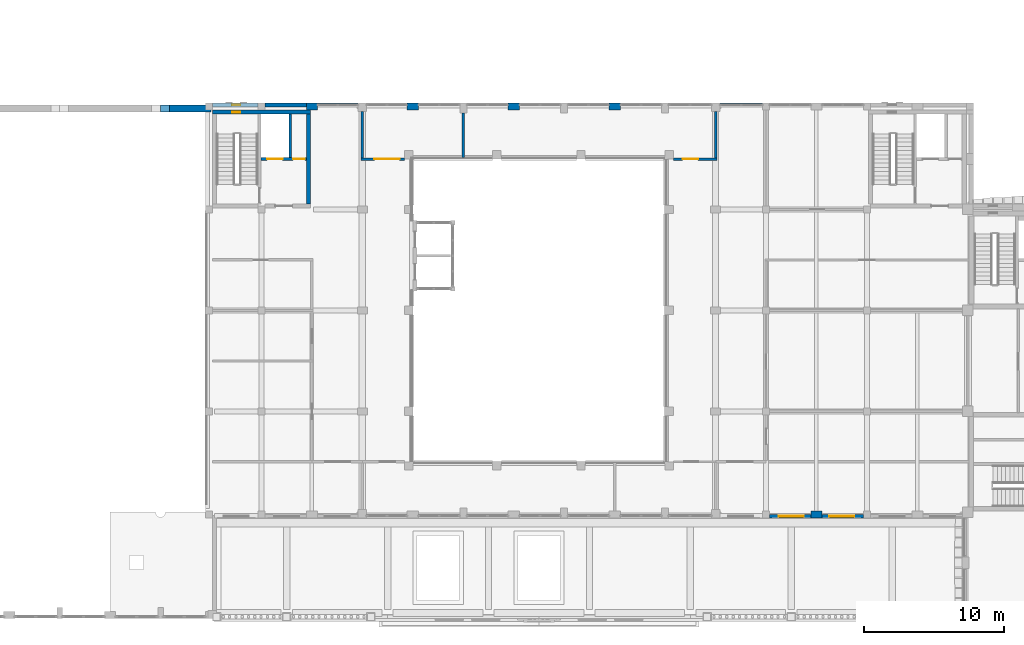
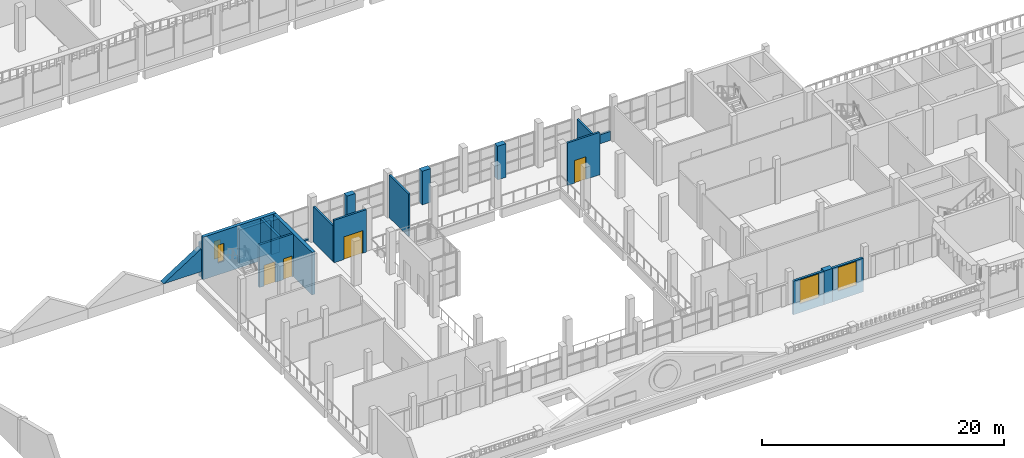
# One storey, part 21 of 58: 21 walls, 4 doors, 4 windows, 8 openings.
"""IFC4 building model written with IfcOpenShell, lengths in metres."""

import ifcopenshell
import ifcopenshell.guid

model = None  # the IFC model being written
_history = None  # IfcOwnerHistory: only IFC2X3 demands one
_inside = {}  # id of a spatial element -> (the spatial element, [elements in it])
_under = {}  # id of a project, library or spatial element -> (it, [spatial elements below it])
_declared = {}  # id of a project -> (the project, [libraries it declares])
_typed = {}  # id of a type object -> (the type object, [elements of that type])
_made_of = {}  # id of a material, layer set ... -> (it, [elements and type objects made of it])


def new_model(schema):
    """Start an empty IFC model of exactly this schema.

    Asked for "IFC4X3", IfcOpenShell would pick the latest addendum, in which some entities
    have other attributes; the version numbers below select the first issue.
    IFC2X3 requires an IfcOwnerHistory on every rooted entity: one is made here for all.
    """
    global model, _history
    if schema == "IFC4X3":
        model = ifcopenshell.file(schema_version=(4, 3, 0, 0))
    else:
        model = ifcopenshell.file(schema=schema)
    _inside.clear()
    _under.clear()
    _declared.clear()
    _typed.clear()
    _made_of.clear()
    _history = None
    if model.schema == "IFC2X3":
        org = make("IfcOrganization", Name="unknown")
        user = make(
            "IfcPersonAndOrganization",
            ThePerson=make("IfcPerson", FamilyName="unknown"),
            TheOrganization=org,
        )
        app = make(
            "IfcApplication",
            ApplicationDeveloper=org,
            Version="unknown",
            ApplicationFullName="unknown",
            ApplicationIdentifier="unknown",
        )
        _history = make(
            "IfcOwnerHistory",
            OwningUser=user,
            OwningApplication=app,
            ChangeAction="ADDED",
            CreationDate=0,
        )
    return model


def make(cls, **values):
    """One entity of the class cls with the attributes given. An attribute that is None is left unset."""
    return model.create_entity(
        cls, **{name: value for name, value in values.items() if value is not None}
    )


def rooted(cls, **values):
    """An entity with a GlobalId (a new one), such as an element, a storey or a relation."""
    return make(cls, GlobalId=ifcopenshell.guid.new(), OwnerHistory=_history, **values)


def si_unit(unit_type, name, prefix=None):
    """IfcSIUnit, for example si_unit("LENGTHUNIT", "METRE", prefix="MILLI")."""
    return make("IfcSIUnit", UnitType=unit_type, Prefix=prefix, Name=name)


def assignment(units):
    """IfcUnitAssignment: the units of a project."""
    return None if units is None else make("IfcUnitAssignment", Units=units)


def point(xyz):
    """IfcCartesianPoint."""
    return None if xyz is None else make("IfcCartesianPoint", Coordinates=xyz)


def direction(xyz):
    """IfcDirection."""
    return None if xyz is None else make("IfcDirection", DirectionRatios=xyz)


def frame(location, z_axis=None, x_axis=None):
    """IfcAxis2Placement3D, a coordinate frame: its origin and axes. An axis left out is left unset."""
    return make(
        "IfcAxis2Placement3D",
        Location=point(location),
        Axis=direction(z_axis),
        RefDirection=direction(x_axis),
    )


def frame_2d(location, x_axis=None):
    """IfcAxis2Placement2D, a coordinate frame in the plane: its origin and x axis."""
    return make(
        "IfcAxis2Placement2D", Location=point(location), RefDirection=direction(x_axis)
    )


def origin():
    """The frame at (0, 0, 0) with its axes left unset."""
    return frame((0.0, 0.0, 0.0))


def place(relative_to, where):
    """IfcLocalPlacement: puts the frame where relative to a parent placement (None: the world)."""
    return make(
        "IfcLocalPlacement", PlacementRelTo=relative_to, RelativePlacement=where
    )


def context(
    kind, dimensions, precision=None, world=None, true_north=None, identifier=None
):
    """IfcGeometricRepresentationContext, for example the 3D "Model" context."""
    return make(
        "IfcGeometricRepresentationContext",
        ContextIdentifier=identifier,
        ContextType=kind,
        CoordinateSpaceDimension=dimensions,
        Precision=precision,
        WorldCoordinateSystem=world,
        TrueNorth=true_north,
    )


def subcontext(parent, identifier, kind, view, scale=None):
    """IfcGeometricRepresentationSubContext, for example "Body" below "Model"."""
    return make(
        "IfcGeometricRepresentationSubContext",
        ContextIdentifier=identifier,
        ContextType=kind,
        ParentContext=parent,
        TargetScale=scale,
        TargetView=view,
    )


def project(units=None, contexts=None):
    """IfcProject with its units and contexts."""
    return rooted(
        "IfcProject",
        Name="project",
        RepresentationContexts=contexts,
        UnitsInContext=assignment(units),
    )


def spatial(cls, under=None, at=None, **own):
    """A site, building, storey or space (cls), placed at a placement, below another one or the project."""
    s = rooted(cls, ObjectPlacement=at, **own)
    if under is not None:
        _under.setdefault(under.id(), (under, []))[1].append(s)
    return s


def polyline(points):
    """IfcPolyline through the points."""
    return make("IfcPolyline", Points=[point(p) for p in points])


def profile(cls, at=None, kind="AREA", **sizes):
    """A parametric profile (cls). Its sizes go by their IFC names, for example OverallWidth=200.0."""
    return make(cls, ProfileType=kind, Position=at, **sizes)


def rectangle(**sizes):
    """IfcRectangleProfileDef."""
    return profile("IfcRectangleProfileDef", **sizes)


def outline(outer, holes=None, kind="AREA"):
    """IfcArbitraryClosedProfileDef: a profile drawn as a closed curve; with holes, ...WithVoids."""
    if holes is None:
        return make("IfcArbitraryClosedProfileDef", ProfileType=kind, OuterCurve=outer)
    return make(
        "IfcArbitraryProfileDefWithVoids",
        ProfileType=kind,
        OuterCurve=outer,
        InnerCurves=holes,
    )


def extrude(swept, where, along, depth):
    """IfcExtrudedAreaSolid: the profile swept, set in the frame where, extruded along a direction by depth."""
    return make(
        "IfcExtrudedAreaSolid",
        SweptArea=swept,
        Position=where,
        ExtrudedDirection=direction(along),
        Depth=depth,
    )


def shape(context_of_items, identifier, shape_type, items):
    """IfcShapeRepresentation: the items that make up one representation, for example the "Body"."""
    return make(
        "IfcShapeRepresentation",
        ContextOfItems=context_of_items,
        RepresentationIdentifier=identifier,
        RepresentationType=shape_type,
        Items=items,
    )


def material(Name=None, Category=None):
    """IfcMaterial."""
    return make("IfcMaterial", Name=Name, Category=Category)


def layer(
    of_material, thickness, ventilated=None, Name=None, Category=None, Priority=None
):
    """IfcMaterialLayer: one layer of a wall or slab, of a material (None: an air gap)."""
    return make(
        "IfcMaterialLayer",
        Material=of_material,
        LayerThickness=thickness,
        IsVentilated=ventilated,
        Name=Name,
        Category=Category,
        Priority=Priority,
    )


def layer_set(layers, Name=None):
    """IfcMaterialLayerSet."""
    return make("IfcMaterialLayerSet", MaterialLayers=layers, LayerSetName=Name)


def made_of(thing, what):
    """Note that an element or type object is made of a material, layer set ...; save() writes the relation."""
    if what is not None:
        _made_of.setdefault(what.id(), (what, []))[1].append(thing)
    return thing


def type_object(cls, material=None, **own):
    """A type object (cls), such as IfcWallType, which elements share."""
    return made_of(rooted(cls, **own), material)


def element(
    cls,
    number,
    at=None,
    inside=None,
    cuts=None,
    type_object=None,
    material=None,
    context=None,
    identifier="Body",
    shape_type=None,
    held_by="IfcProductDefinitionShape",
    body=None,
    shapes=None,
    **own,
):
    """One element of the class cls, such as IfcWall. Its Tag is "e" and its number.

    at: its placement. inside: the storey or other place that contains it. cuts: it is an
    opening in that element (IfcRelVoidsElement). A single representation is given by context,
    identifier, shape_type and body (its items); several are given by shapes. held_by: the class
    of the entity that holds the representations. save() writes the other relations.
    """
    e = rooted(cls, Tag="e%d" % number, ObjectPlacement=at, **own)
    if body is not None:
        shapes = [shape(context, identifier, shape_type, body)]
    if shapes is not None:
        e.Representation = make(held_by, Representations=shapes)
    if inside is not None:
        _inside.setdefault(inside.id(), (inside, []))[1].append(e)
    if cuts is not None:
        rooted(
            "IfcRelVoidsElement", RelatingBuildingElement=cuts, RelatedOpeningElement=e
        )
    if type_object is not None:
        _typed.setdefault(type_object.id(), (type_object, []))[1].append(e)
    return made_of(e, material)


def fill(opening, filler):
    """IfcRelFillsElement: the door or window that sits in an opening."""
    return rooted(
        "IfcRelFillsElement",
        RelatingOpeningElement=opening,
        RelatedBuildingElement=filler,
    )


def aggregate(whole, parts):
    """IfcRelAggregates: a whole, such as a stair, and the parts it consists of."""
    return rooted("IfcRelAggregates", RelatingObject=whole, RelatedObjects=parts)


def save(model, path):
    """Write the relations noted so far, then the file.

    IfcRelAggregates (storeys below a building ...), IfcRelContainedInSpatialStructure (elements
    in a storey), IfcRelDefinesByType, IfcRelAssociatesMaterial and IfcRelDeclares: one each for
    every whole, place, type object, material and project.
    """
    for whole, parts in _under.values():
        aggregate(whole, parts)
    for where, things in _inside.values():
        rooted(
            "IfcRelContainedInSpatialStructure",
            RelatedElements=things,
            RelatingStructure=where,
        )
    for kind, things in _typed.values():
        rooted("IfcRelDefinesByType", RelatedObjects=things, RelatingType=kind)
    for what, things in _made_of.values():
        rooted("IfcRelAssociatesMaterial", RelatedObjects=things, RelatingMaterial=what)
    for by, libraries in _declared.values():
        rooted("IfcRelDeclares", RelatingContext=by, RelatedDefinitions=libraries)
    model.write(path)


model = new_model("IFC4")

# Units and contexts
model_context = context("Model", 3, precision=1e-05, world=origin(), true_north=direction((0.0, 1.0)))
body_context = subcontext(model_context, "Body", "Model", "MODEL_VIEW")
ifc_project = project(units=[si_unit("LENGTHUNIT", "METRE"), si_unit("AREAUNIT", "SQUARE_METRE"), si_unit("VOLUMEUNIT", "CUBIC_METRE"), si_unit("PLANEANGLEUNIT", "RADIAN"), si_unit("MASSUNIT", "GRAM", prefix="KILO")], contexts=[model_context])

# Site, building, storey
site_placement = place(None, origin())
site = spatial("IfcSite", under=ifc_project, at=site_placement, CompositionType="ELEMENT")
building_placement = place(site_placement, origin())
building = spatial("IfcBuilding", under=site, at=building_placement, Name="Ussher Court Research Institute", CompositionType="ELEMENT")
storey_placement = place(building_placement, frame((0.0, 0.0, 9.89990234375)))
storey = spatial("IfcBuildingStorey", under=building, at=storey_placement, Name="L02", CompositionType="ELEMENT", Elevation=9.89990234375)

# Wall, opening, door
ifc_material_1 = material(Name="Plasterboard on steel studs with mineral wool", Category="steel")
ifc_layer_1 = layer(ifc_material_1, 0.179931640625)
ifc_layer_set_1 = layer_set([ifc_layer_1], Name="Plasterboard on steel studs with mineral wool")
wall_type_1 = type_object("IfcWallType", Name="Acoustic twin-stud partition 180", PredefinedType="PARTITIONING", material=ifc_layer_set_1)
wall_1_placement = place(storey_placement, frame((42.0, 36.39990234375, 0.0), z_axis=(0.0, 0.0, 1.0), x_axis=(-1.0, 0.0, 0.0)))
wall_1 = element("IfcWall", 1, at=wall_1_placement, inside=storey, type_object=wall_type_1, Name="Partition", PredefinedType="PARTITIONING", context=body_context, shape_type="SweptSolid", body=[
    extrude(rectangle(XDim=3.090087890625, YDim=0.179931640625, at=frame_2d((1.544921875, 0.0))), origin(), (0.0, 0.0, 1.0), 4.300048828125),
])
opening_1_placement = place(wall_1_placement, frame((0.35009765625, 0.0, 0.0)))
opening_1 = element("IfcOpeningElement", 2, at=opening_1_placement, cuts=wall_1, Name="Opening D02018", PredefinedType="OPENING", context=body_context, shape_type="SweptSolid", body=[
    extrude(rectangle(XDim=1.800048828125, YDim=2.300048828125, at=frame_2d((0.89990234375, 1.14990234375))), frame((0.0, 0.10009765625, 0.0), z_axis=(0.0, -1.0, 0.0), x_axis=(1.0, 0.0, 0.0)), (0.0, 0.0, 1.0), 0.199951171875),
])
ifc_material_2 = material(Name="Veneered timber door", Category="wood")
door_type_1 = type_object("IfcDoorType", Name="Exhibition door 1800x2300 double leaf", OperationType="DOUBLE_DOOR_SINGLE_SWING", PredefinedType="DOOR", material=ifc_material_2)
door_1_placement = place(opening_1_placement, origin())
door_1 = element("IfcDoor", 3, at=door_1_placement, inside=storey, type_object=door_type_1, Name="Door D02018", OperationType="SINGLE_SWING_LEFT", OverallHeight=2.300048828125, OverallWidth=1.800048828125, PredefinedType="DOOR", context=body_context, shape_type="SweptSolid", body=[
    extrude(rectangle(XDim=1.800048828125, YDim=2.300048828125, at=frame_2d((0.89990234375, 1.14990234375))), frame((0.0, 0.02490234375, 0.0), z_axis=(0.0, -1.0, 0.0), x_axis=(1.0, 0.0, 0.0)), (0.0, 0.0, 1.0), 0.050048828125),
])
fill(opening_1, door_1)

wall_2_placement = place(storey_placement, frame((61.199951171875, 36.39990234375, 0.0), z_axis=(0.0, 0.0, 1.0), x_axis=(1.0, 0.0, 0.0)))
wall_2 = element("IfcWall", 4, at=wall_2_placement, inside=storey, type_object=wall_type_1, Name="Partition", PredefinedType="PARTITIONING", context=body_context, shape_type="SweptSolid", body=[
    extrude(rectangle(XDim=3.090087890625, YDim=0.179931640625, at=frame_2d((1.544921875, 0.0))), origin(), (0.0, 0.0, 1.0), 4.300048828125),
])
opening_2_placement = place(wall_2_placement, frame((0.64990234375, 0.0, 0.0)))
opening_2 = element("IfcOpeningElement", 5, at=opening_2_placement, cuts=wall_2, Name="Opening D02028", PredefinedType="OPENING", context=body_context, shape_type="SweptSolid", body=[
    extrude(rectangle(XDim=1.10009765625, YDim=2.300048828125, at=frame_2d((0.550048828125, 1.14990234375))), frame((0.0, 0.10009765625, 0.0), z_axis=(0.0, -1.0, 0.0), x_axis=(1.0, 0.0, 0.0)), (0.0, 0.0, 1.0), 0.199951171875),
])
ifc_material_3 = material(Name="Veneered timber door", Category="wood")
door_type_2 = type_object("IfcDoorType", Name="Seminar room door 1100x2300", OperationType="NOTDEFINED", PredefinedType="DOOR", material=ifc_material_3)
door_2_placement = place(opening_2_placement, origin())
door_2 = element("IfcDoor", 6, at=door_2_placement, inside=storey, type_object=door_type_2, Name="Door D02028", OperationType="SINGLE_SWING_LEFT", OverallHeight=2.300048828125, OverallWidth=1.10009765625, PredefinedType="DOOR", context=body_context, shape_type="SweptSolid", body=[
    extrude(rectangle(XDim=1.10009765625, YDim=2.300048828125, at=frame_2d((0.550048828125, 1.14990234375))), frame((0.0, 0.02490234375, 0.0), z_axis=(0.0, -1.0, 0.0), x_axis=(1.0, 0.0, 0.0)), (0.0, 0.0, 1.0), 0.050048828125),
])
fill(opening_2, door_2)

# Walls
wall_3_placement = place(storey_placement, frame((39.0, 36.489990234375, 0.0), z_axis=(0.0, 0.0, 1.0), x_axis=(0.0, 1.0, 0.0)))
element("IfcWall", 7, at=wall_3_placement, inside=storey, type_object=wall_type_1, Name="Partition", PredefinedType="PARTITIONING", context=body_context, shape_type="SweptSolid", body=[
    extrude(rectangle(XDim=3.31005859375, YDim=0.179931640625, at=frame_2d((1.655029296875, 0.0))), origin(), (0.0, 0.0, 1.0), 3.570068359375),
])
wall_4_placement = place(storey_placement, frame((46.199951171875, 36.5, 0.0), z_axis=(0.0, 0.0, 1.0), x_axis=(0.0, 1.0, 0.0)))
element("IfcWall", 8, at=wall_4_placement, inside=storey, type_object=wall_type_1, Name="Partition", PredefinedType="PARTITIONING", context=body_context, shape_type="SweptSolid", body=[
    extrude(rectangle(XDim=3.199951171875, YDim=0.179931640625, at=frame_2d((1.60009765625, 0.0))), origin(), (0.0, 0.0, 1.0), 4.300048828125),
])
wall_5_placement = place(storey_placement, frame((64.199951171875, 36.489990234375, 0.0), z_axis=(0.0, 0.0, 1.0), x_axis=(0.0, 1.0, 0.0)))
element("IfcWall", 9, at=wall_5_placement, inside=storey, type_object=wall_type_1, Name="Partition", PredefinedType="PARTITIONING", context=body_context, shape_type="SweptSolid", body=[
    extrude(rectangle(XDim=3.31005859375, YDim=0.179931640625, at=frame_2d((1.655029296875, 0.0))), origin(), (0.0, 0.0, 1.0), 3.570068359375),
])
ifc_material_4 = material(Name="Concrete C35/45", Category="concrete")
ifc_layer_2 = layer(ifc_material_4, 0.5)
ifc_layer_set_2 = layer_set([ifc_layer_2], Name="Concrete C35/45")
wall_type_2 = type_object("IfcWallType", Name="End diaphragm wall 500", PredefinedType="SOLIDWALL", material=ifc_layer_set_2)
wall_6_placement = place(storey_placement, frame((24.60009765625, 40.0, 0.7802734375), z_axis=(0.0, 0.0, 1.0), x_axis=(1.0, 0.0, 0.0)))
element("IfcWall", 10, at=wall_6_placement, inside=storey, type_object=wall_type_2, Name="DW500 V1 L02-04", PredefinedType="SOLIDWALL", context=body_context, shape_type="SweptSolid", body=[
    extrude(outline(polyline([(0.0, 0.0), (3.599853515625, 0.0), (3.60009765625, 2.303466796875), (0.0, 0.02001953125), (0.0, 0.0)])), frame((0.0, 0.25, 0.0), z_axis=(0.0, -1.0, 0.0), x_axis=(1.0, 0.0, 0.0)), (0.0, 0.0, 1.0), 0.5),
])

# Wall, opening, window
ifc_material_5 = material(Name="Limestone facing on blockwork", Category="masonry")
ifc_layer_3 = layer(ifc_material_5, 0.300048828125)
ifc_layer_set_3 = layer_set([ifc_layer_3], Name="Limestone facing on blockwork")
wall_type_3 = type_object("IfcWallType", Name="External wall 300 stair enclosure", PredefinedType="SOLIDWALL", material=ifc_layer_set_3)
wall_7_placement = place(storey_placement, frame((28.300048828125, 40.25, 0.0), z_axis=(0.0, 0.0, 1.0), x_axis=(1.0, 0.0, 0.0)))
wall_7 = element("IfcWall", 11, at=wall_7_placement, inside=storey, type_object=wall_type_3, Name="External wall EW5 L02", PredefinedType="SOLIDWALL", context=body_context, shape_type="SweptSolid", body=[
    extrude(rectangle(XDim=3.25, YDim=0.300048828125, at=frame_2d((1.625, 0.0))), origin(), (0.0, 0.0, 1.0), 3.400146484375),
])
opening_3_placement = place(wall_7_placement, frame((1.39990234375, 0.0, 1.199951171875)))
opening_3 = element("IfcOpeningElement", 12, at=opening_3_placement, cuts=wall_7, Name="Opening W25", PredefinedType="OPENING", context=body_context, shape_type="SweptSolid", body=[
    extrude(rectangle(XDim=0.60009765625, YDim=1.800048828125, at=frame_2d((0.300048828125, 0.89990234375))), frame((0.0, 0.16015625, 0.0), z_axis=(0.0, -1.0, 0.0), x_axis=(1.0, 0.0, 0.0)), (0.0, 0.0, 1.0), 0.320068359375),
])
ifc_material_6 = material(Name="Bronze anodised aluminium with double glazing", Category="aluminium")
window_type_1 = type_object("IfcWindowType", Name="Stair light slot window 600x1800 fire-resisting glazing", PartitioningType="SINGLE_PANEL", PredefinedType="WINDOW", material=ifc_material_6)
window_1_placement = place(opening_3_placement, origin())
window_1 = element("IfcWindow", 13, at=window_1_placement, inside=storey, type_object=window_type_1, Name="Window W25 L02", OverallHeight=1.800048828125, OverallWidth=0.60009765625, PartitioningType="SINGLE_PANEL", PredefinedType="WINDOW", context=body_context, shape_type="SweptSolid", body=[
    extrude(rectangle(XDim=0.60009765625, YDim=1.800048828125, at=frame_2d((0.300048828125, 0.89990234375))), frame((0.0, 0.030029296875, 0.0), z_axis=(0.0, -1.0, 0.0), x_axis=(1.0, 0.0, 0.0)), (0.0, 0.0, 1.0), 0.06005859375),
])
fill(opening_3, window_1)

# Walls
wall_8_placement = place(storey_placement, frame((32.050048828125, 40.25, 0.0), z_axis=(0.0, 0.0, 1.0), x_axis=(1.0, 0.0, 0.0)))
element("IfcWall", 14, at=wall_8_placement, inside=storey, type_object=wall_type_3, Name="External wall EW5 L02", PredefinedType="SOLIDWALL", context=body_context, shape_type="SweptSolid", body=[
    extrude(rectangle(XDim=2.949951171875, YDim=0.300048828125, at=frame_2d((1.47509765625, 0.0))), origin(), (0.0, 0.0, 1.0), 3.400146484375),
])
ifc_material_7 = material(Name="Limestone facing on insulated blockwork", Category="masonry")
ifc_layer_4 = layer(ifc_material_7, 0.219970703125)
ifc_layer_set_4 = layer_set([ifc_layer_4], Name="Limestone facing on insulated blockwork")
wall_type_4 = type_object("IfcWallType", Name="Link wall 220 limestone faced insulated block", PredefinedType="SOLIDWALL", material=ifc_layer_set_4)
wall_9_placement = place(storey_placement, frame((35.800048828125, 40.2900390625, 0.0), z_axis=(0.0, 0.0, 1.0), x_axis=(1.0, 0.0, 0.0)))
element("IfcWall", 15, at=wall_9_placement, inside=storey, type_object=wall_type_4, Name="Plinth wall EW6 L02", PredefinedType="SOLIDWALL", context=body_context, shape_type="SweptSolid", body=[
    extrude(rectangle(XDim=2.89990234375, YDim=0.219970703125, at=frame_2d((1.449951171875, 0.0))), origin(), (0.0, 0.0, 1.0), 0.150146484375),
])
wall_10_placement = place(storey_placement, frame((64.5, 40.2900390625, 0.0), z_axis=(0.0, 0.0, 1.0), x_axis=(1.0, 0.0, 0.0)))
element("IfcWall", 16, at=wall_10_placement, inside=storey, type_object=wall_type_4, Name="Plinth wall EW6 L02", PredefinedType="SOLIDWALL", context=body_context, shape_type="SweptSolid", body=[
    extrude(rectangle(XDim=3.050048828125, YDim=0.219970703125, at=frame_2d((1.52490234375, 0.0))), origin(), (0.0, 0.0, 1.0), 0.900146484375),
])

# Wall, opening, window
wall_11_placement = place(storey_placement, frame((74.75, 10.909912109375, 0.0), z_axis=(0.0, 0.0, 1.0), x_axis=(-1.0, 0.0, 0.0)))
wall_11 = element("IfcWall", 17, at=wall_11_placement, inside=storey, type_object=wall_type_4, Name="External wall EW6 L02", PredefinedType="SOLIDWALL", context=body_context, shape_type="SweptSolid", body=[
    extrude(rectangle(XDim=2.949951171875, YDim=0.219970703125, at=frame_2d((1.47509765625, 0.0))), origin(), (0.0, 0.0, 1.0), 3.400146484375),
])
opening_4_placement = place(wall_11_placement, frame((0.64990234375, 0.0, 0.89990234375)))
opening_4 = element("IfcOpeningElement", 18, at=opening_4_placement, cuts=wall_11, Name="Opening W05", PredefinedType="OPENING", context=body_context, shape_type="SweptSolid", body=[
    extrude(rectangle(XDim=1.800048828125, YDim=2.39990234375, at=frame_2d((0.89990234375, 1.199951171875))), frame((0.0, 0.1201171875, 0.0), z_axis=(0.0, -1.0, 0.0), x_axis=(1.0, 0.0, 0.0)), (0.0, 0.0, 1.0), 0.239990234375),
])
ifc_material_8 = material(Name="Bronze anodised aluminium with double glazing", Category="aluminium")
window_type_2 = type_object("IfcWindowType", Name="Reading link window 1800x2400", PartitioningType="DOUBLE_PANEL_VERTICAL", PredefinedType="WINDOW", material=ifc_material_8)
window_2_placement = place(opening_4_placement, origin())
window_2 = element("IfcWindow", 19, at=window_2_placement, inside=storey, type_object=window_type_2, Name="Window W05 L02", OverallHeight=2.39990234375, OverallWidth=1.800048828125, PartitioningType="SINGLE_PANEL", PredefinedType="WINDOW", context=body_context, shape_type="SweptSolid", body=[
    extrude(rectangle(XDim=1.800048828125, YDim=2.39990234375, at=frame_2d((0.89990234375, 1.199951171875))), frame((0.0, 0.030029296875, 0.0), z_axis=(0.0, -1.0, 0.0), x_axis=(1.0, 0.0, 0.0)), (0.0, 0.0, 1.0), 0.06005859375),
])
fill(opening_4, window_2)

wall_12_placement = place(storey_placement, frame((71.0, 10.909912109375, 0.0), z_axis=(0.0, 0.0, 1.0), x_axis=(-1.0, 0.0, 0.0)))
wall_12 = element("IfcWall", 20, at=wall_12_placement, inside=storey, type_object=wall_type_4, Name="External wall EW6 L02", PredefinedType="SOLIDWALL", context=body_context, shape_type="SweptSolid", body=[
    extrude(rectangle(XDim=2.949951171875, YDim=0.219970703125, at=frame_2d((1.47509765625, 0.0))), origin(), (0.0, 0.0, 1.0), 3.400146484375),
])
opening_5_placement = place(wall_12_placement, frame((0.5, 0.0, 0.89990234375)))
opening_5 = element("IfcOpeningElement", 21, at=opening_5_placement, cuts=wall_12, Name="Opening W05", PredefinedType="OPENING", context=body_context, shape_type="SweptSolid", body=[
    extrude(rectangle(XDim=1.800048828125, YDim=2.39990234375, at=frame_2d((0.89990234375, 1.199951171875))), frame((0.0, 0.1201171875, 0.0), z_axis=(0.0, -1.0, 0.0), x_axis=(1.0, 0.0, 0.0)), (0.0, 0.0, 1.0), 0.239990234375),
])
window_3_placement = place(opening_5_placement, origin())
window_3 = element("IfcWindow", 22, at=window_3_placement, inside=storey, type_object=window_type_2, Name="Window W05 L02", OverallHeight=2.39990234375, OverallWidth=1.800048828125, PartitioningType="SINGLE_PANEL", PredefinedType="WINDOW", context=body_context, shape_type="SweptSolid", body=[
    extrude(rectangle(XDim=1.800048828125, YDim=2.39990234375, at=frame_2d((0.89990234375, 1.199951171875))), frame((0.0, 0.030029296875, 0.0), z_axis=(0.0, -1.0, 0.0), x_axis=(1.0, 0.0, 0.0)), (0.0, 0.0, 1.0), 0.06005859375),
])
fill(opening_5, window_3)

# Walls
ifc_material_9 = material(Name="Rusticated limestone facing on blockwork", Category="masonry")
ifc_layer_5 = layer(ifc_material_9, 0.5)
ifc_layer_set_5 = layer_set([ifc_layer_5], Name="Rusticated limestone facing on blockwork")
wall_type_5 = type_object("IfcWallType", Name="Pier 800x500 rusticated limestone", PredefinedType="SOLIDWALL", material=ifc_layer_set_5)
for number, where, z_axis, x_axis, name in (
    (23, (35.0, 40.14990234375, 0.0), (0.0, 0.0, 1.0), (1.0, 0.0, 0.0), "Pier PR2 L02"),
    (24, (42.199951171875, 40.14990234375, 0.0), (0.0, 0.0, 1.0), (1.0, 0.0, 0.0), "Pier PR2 L02"),
    (25, (49.39990234375, 40.14990234375, 0.0), (0.0, 0.0, 1.0), (1.0, 0.0, 0.0), "Pier PR2 L02"),
):
    element("IfcWall", number, at=place(storey_placement, frame(where, z_axis=z_axis, x_axis=x_axis)), inside=storey, type_object=wall_type_5, Name=name, PredefinedType="SOLIDWALL", context=body_context, shape_type="SweptSolid", body=[
        extrude(rectangle(XDim=0.800048828125, YDim=0.5, at=frame_2d((0.39990234375, 0.0))), origin(), (0.0, 0.0, 1.0), 3.400146484375),
    ])
wall_13_placement = place(storey_placement, frame((56.60009765625, 40.14990234375, 0.0), z_axis=(0.0, 0.0, 1.0), x_axis=(1.0, 0.0, 0.0)))
element("IfcWall", 26, at=wall_13_placement, inside=storey, type_object=wall_type_5, Name="Pier PR2 L02", PredefinedType="SOLIDWALL", context=body_context, shape_type="SweptSolid", body=[
    extrude(rectangle(XDim=0.7998046875, YDim=0.5, at=frame_2d((0.39990234375, 0.0))), origin(), (0.0, 0.0, 1.0), 3.400146484375),
])
wall_14_placement = place(storey_placement, frame((71.800048828125, 11.050048828125, 0.0), z_axis=(0.0, 0.0, 1.0), x_axis=(-1.0, 0.0, 0.0)))
element("IfcWall", 27, at=wall_14_placement, inside=storey, type_object=wall_type_5, Name="Pier PR2 L02", PredefinedType="SOLIDWALL", context=body_context, shape_type="SweptSolid", body=[
    extrude(rectangle(XDim=0.800048828125, YDim=0.5, at=frame_2d((0.39990234375, 0.0))), origin(), (0.0, 0.0, 1.0), 3.400146484375),
])

# Wall, openings, doors
ifc_material_10 = material(Name="Concrete C35/45", Category="concrete")
ifc_layer_6 = layer(ifc_material_10, 0.199951171875)
ifc_layer_set_6 = layer_set([ifc_layer_6], Name="Concrete C35/45")
wall_type_6 = type_object("IfcWallType", Name="RC core wall 200", PredefinedType="SHEAR", material=ifc_layer_set_6)
wall_15_placement = place(storey_placement, frame((35.0, 36.39990234375, 0.0), z_axis=(0.0, 0.0, 1.0), x_axis=(-1.0, 0.0, 0.0)))
wall_15 = element("IfcWall", 28, at=wall_15_placement, inside=storey, type_object=wall_type_6, Name="Core wall W1", PredefinedType="SHEAR", context=body_context, shape_type="SweptSolid", body=[
    extrude(rectangle(XDim=3.25, YDim=0.199951171875, at=frame_2d((1.625, 0.0))), origin(), (0.0, 0.0, 1.0), 4.300048828125),
])
opening_6_placement = place(wall_15_placement, frame((1.699951171875, 0.0, 0.0)))
opening_6 = element("IfcOpeningElement", 29, at=opening_6_placement, cuts=wall_15, Name="Opening LD28", PredefinedType="OPENING", context=body_context, shape_type="SweptSolid", body=[
    extrude(rectangle(XDim=1.10009765625, YDim=2.10009765625, at=frame_2d((0.550048828125, 1.050048828125))), frame((0.0, 0.10986328125, 0.0), z_axis=(0.0, -1.0, 0.0), x_axis=(1.0, 0.0, 0.0)), (0.0, 0.0, 1.0), 0.219970703125),
])
opening_7_placement = place(wall_15_placement, frame((0.10009765625, 0.0, 0.0)))
opening_7 = element("IfcOpeningElement", 30, at=opening_7_placement, cuts=wall_15, Name="Opening D02014", PredefinedType="OPENING", context=body_context, shape_type="SweptSolid", body=[
    extrude(rectangle(XDim=0.85009765625, YDim=2.10009765625, at=frame_2d((0.425048828125, 1.050048828125))), frame((0.0, 0.10986328125, 0.0), z_axis=(0.0, -1.0, 0.0), x_axis=(1.0, 0.0, 0.0)), (0.0, 0.0, 1.0), 0.219970703125),
])
ifc_material_11 = material(Name="Painted steel faced fire door", Category="steel")
door_type_3 = type_object("IfcDoorType", Name="Fire door 850x2100 FD60", OperationType="NOTDEFINED", PredefinedType="DOOR", material=ifc_material_11)
door_3_placement = place(opening_7_placement, origin())
door_3 = element("IfcDoor", 31, at=door_3_placement, inside=storey, type_object=door_type_3, Name="Door D02014", OperationType="SINGLE_SWING_LEFT", OverallHeight=2.10009765625, OverallWidth=0.85009765625, PredefinedType="DOOR", context=body_context, shape_type="SweptSolid", body=[
    extrude(rectangle(XDim=0.85009765625, YDim=2.10009765625, at=frame_2d((0.425048828125, 1.050048828125))), frame((0.0, 0.02490234375, 0.0), z_axis=(0.0, -1.0, 0.0), x_axis=(1.0, 0.0, 0.0)), (0.0, 0.0, 1.0), 0.050048828125),
])
fill(opening_7, door_3)
ifc_material_12 = material(Name="Stainless steel lift door", Category="steel")
door_type_4 = type_object("IfcDoorType", Name="Lift landing door 1100x2100 sliding", OperationType="DOUBLE_DOOR_SLIDING", PredefinedType="DOOR", material=ifc_material_12)
door_4_placement = place(opening_6_placement, origin())
door_4 = element("IfcDoor", 32, at=door_4_placement, inside=storey, type_object=door_type_4, Name="Landing door W1-1 L02", OperationType="DOUBLE_DOOR_SLIDING", OverallHeight=2.10009765625, OverallWidth=1.10009765625, PredefinedType="DOOR", context=body_context, shape_type="SweptSolid", body=[
    extrude(rectangle(XDim=1.10009765625, YDim=2.10009765625, at=frame_2d((0.550048828125, 1.050048828125))), frame((0.0, 0.02490234375, 0.0), z_axis=(0.0, -1.0, 0.0), x_axis=(1.0, 0.0, 0.0)), (0.0, 0.0, 1.0), 0.050048828125),
])
fill(opening_6, door_4)

# Wall
wall_16_placement = place(storey_placement, frame((33.85009765625, 36.5, 0.0), z_axis=(0.0, 0.0, 1.0), x_axis=(0.0, 1.0, 0.0)))
element("IfcWall", 33, at=wall_16_placement, inside=storey, type_object=wall_type_6, Name="Core wall W1", PredefinedType="SHEAR", context=body_context, shape_type="SweptSolid", body=[
    extrude(rectangle(XDim=3.10009765625, YDim=0.199951171875, at=frame_2d((1.550048828125, 0.0))), origin(), (0.0, 0.0, 1.0), 4.300048828125),
])

# Wall, opening, window
ifc_material_13 = material(Name="Concrete C35/45", Category="concrete")
ifc_layer_7 = layer(ifc_material_13, 0.300048828125)
ifc_layer_set_7 = layer_set([ifc_layer_7], Name="Concrete C35/45")
wall_type_7 = type_object("IfcWallType", Name="RC core wall 300", PredefinedType="SHEAR", material=ifc_layer_set_7)
wall_17_placement = place(storey_placement, frame((28.300048828125, 39.75, 0.0), z_axis=(0.0, 0.0, 1.0), x_axis=(1.0, 0.0, 0.0)))
wall_17 = element("IfcWall", 34, at=wall_17_placement, inside=storey, type_object=wall_type_7, Name="Core wall W1", PredefinedType="SHEAR", context=body_context, shape_type="SweptSolid", body=[
    extrude(rectangle(XDim=7.0, YDim=0.300048828125, at=frame_2d((3.5, 0.0))), origin(), (0.0, 0.0, 1.0), 4.300048828125),
])
opening_8_placement = place(wall_17_placement, frame((1.39990234375, 0.0, 1.199951171875)))
opening_8 = element("IfcOpeningElement", 35, at=opening_8_placement, cuts=wall_17, Name="Opening W25", PredefinedType="OPENING", context=body_context, shape_type="SweptSolid", body=[
    extrude(rectangle(XDim=0.60009765625, YDim=1.800048828125, at=frame_2d((0.300048828125, 0.89990234375))), frame((0.0, 0.16015625, 0.0), z_axis=(0.0, -1.0, 0.0), x_axis=(1.0, 0.0, 0.0)), (0.0, 0.0, 1.0), 0.320068359375),
])
window_4_placement = place(opening_8_placement, origin())
window_4 = element("IfcWindow", 36, at=window_4_placement, inside=storey, type_object=window_type_1, Name="Window stair light W1 L02", OverallHeight=1.800048828125, OverallWidth=0.60009765625, PartitioningType="SINGLE_PANEL", PredefinedType="WINDOW", context=body_context, shape_type="SweptSolid", body=[
    extrude(rectangle(XDim=0.60009765625, YDim=1.800048828125, at=frame_2d((0.300048828125, 0.89990234375))), frame((0.0, 0.030029296875, 0.0), z_axis=(0.0, -1.0, 0.0), x_axis=(1.0, 0.0, 0.0)), (0.0, 0.0, 1.0), 0.06005859375),
])
fill(opening_8, window_4)

# Wall
wall_18_placement = place(storey_placement, frame((35.14990234375, 33.199951171875, 0.0), z_axis=(0.0, 0.0, 1.0), x_axis=(0.0, 1.0, 0.0)))
element("IfcWall", 37, at=wall_18_placement, inside=storey, type_object=wall_type_7, Name="Core wall W1", PredefinedType="SHEAR", context=body_context, shape_type="SweptSolid", body=[
    extrude(rectangle(XDim=6.400146484375, YDim=0.300048828125, at=frame_2d((3.2001953125, 0.0))), origin(), (0.0, 0.0, 1.0), 4.300048828125),
])

save(model, "model.ifc")
